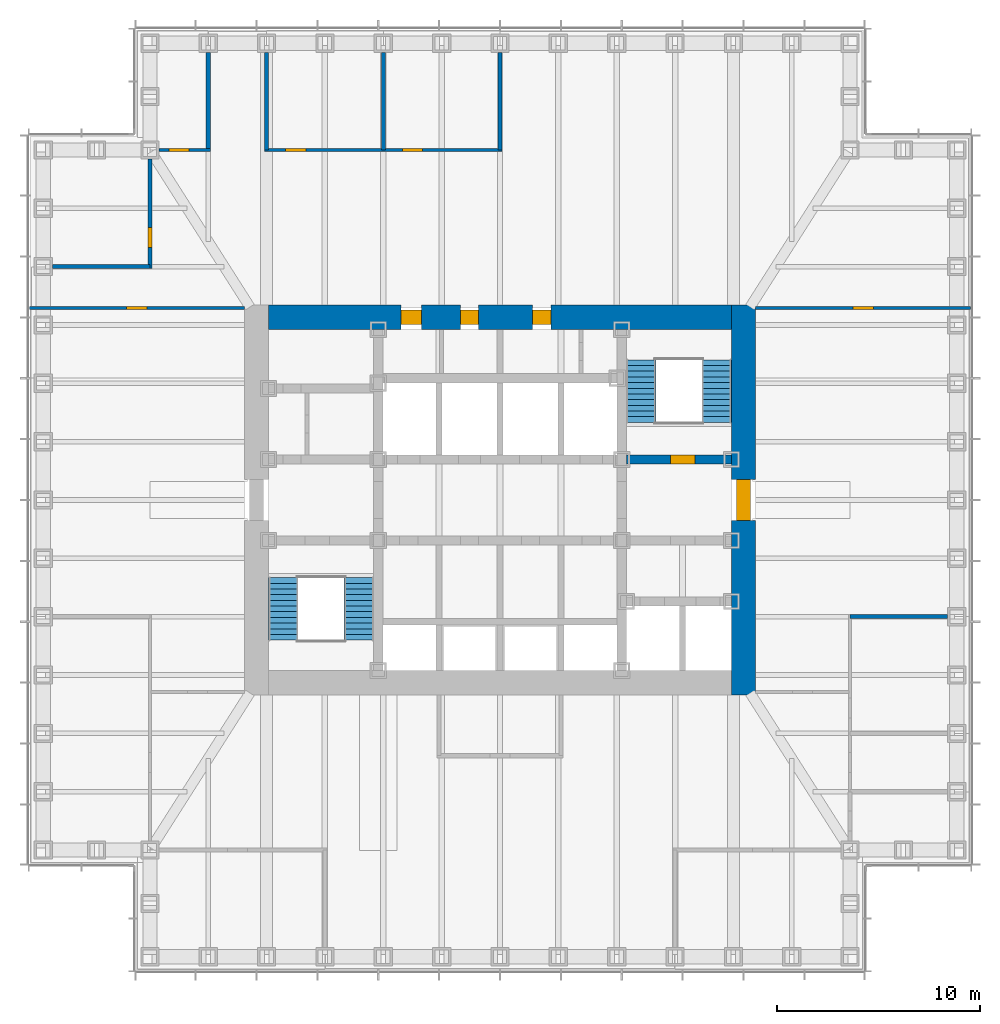
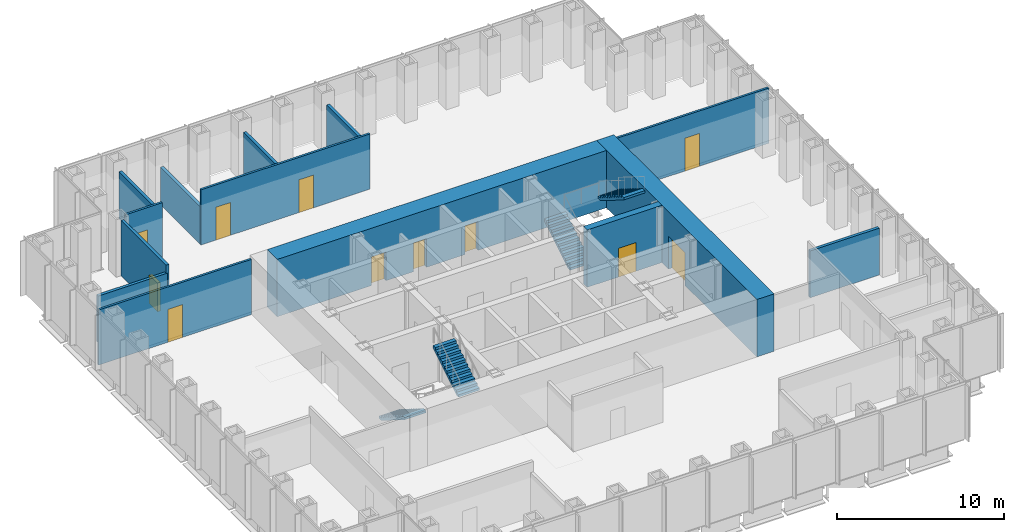
# One storey, part 10 of 16: 14 walls, 11 doors, 4 stair flights, 11 openings, 2 elements without a shape of their own.
"""IFC4 building model written with IfcOpenShell, lengths in metres."""

from ifc_helpers import new_model, si_unit, direction, frame, frame_2d, origin, place, context, subcontext, project, spatial, polyline, rectangle, outline, extrude, material, layer, layer_set, type_object, element, fill, aggregate, save


model = new_model("IFC4")

# Units and contexts
model_context = context("Model", 3, precision=1e-05, world=origin(), true_north=direction((0.0, 1.0)))
body_context = subcontext(model_context, "Body", "Model", "MODEL_VIEW")
ifc_project = project(units=[si_unit("LENGTHUNIT", "METRE"), si_unit("AREAUNIT", "SQUARE_METRE"), si_unit("VOLUMEUNIT", "CUBIC_METRE"), si_unit("PLANEANGLEUNIT", "RADIAN"), si_unit("MASSUNIT", "GRAM", prefix="KILO")], contexts=[model_context])

# Site, building, storey
site_placement = place(None, origin())
site = spatial("IfcSite", under=ifc_project, at=site_placement, CompositionType="ELEMENT")
building_placement = place(site_placement, origin())
building = spatial("IfcBuilding", under=site, at=building_placement, Name="Daluyong Arena Tower", CompositionType="ELEMENT")
storey_placement = place(building_placement, frame((0.0, 0.0, 141.699951171875)))
storey = spatial("IfcBuildingStorey", under=building, at=storey_placement, Name="L31", CompositionType="ELEMENT", Elevation=141.699951171875)

# Wall, opening, door
ifc_material_1 = material(Name="Concrete fc' 45 MPa", Category="concrete")
ifc_layer_1 = layer(ifc_material_1, 0.449951171875)
ifc_layer_set_1 = layer_set([ifc_layer_1], Name="Concrete fc' 45 MPa")
wall_type_1 = type_object("IfcWallType", Name="Core inner wall 450", PredefinedType="SHEAR", material=ifc_layer_set_1)
wall_1_placement = place(storey_placement, frame((62.22509765625, 82.0, 0.0), z_axis=(0.0, 0.0, 1.0), x_axis=(1.0, 0.0, 0.0)))
wall_1 = element("IfcWall", 1, at=wall_1_placement, inside=storey, type_object=wall_type_1, Name="core inner wall at L31", PredefinedType="SHEAR", context=body_context, shape_type="SweptSolid", body=[
    extrude(rectangle(XDim=5.1748046875, YDim=0.449951171875, at=frame_2d((2.58740234375, 0.0))), origin(), (0.0, 0.0, 1.0), 4.199951171875),
])
opening_1_placement = place(wall_1_placement, frame((2.175048828125, 0.0, 0.0)))
opening_1 = element("IfcOpeningElement", 2, at=opening_1_placement, cuts=wall_1, Name="Opening 31013", PredefinedType="OPENING", context=body_context, shape_type="SweptSolid", body=[
    extrude(rectangle(XDim=1.199951171875, YDim=2.10009765625, at=frame_2d((0.60009765625, 1.050048828125))), frame((0.0, 0.23486328125, 0.0), z_axis=(0.0, -1.0, 0.0), x_axis=(1.0, 0.0, 0.0)), (0.0, 0.0, 1.0), 0.469970703125),
])
ifc_material_2 = material(Name="Steel door, fire rated", Category="steel")
door_type_1 = type_object("IfcDoorType", Name="Stair door 1200", OperationType="SINGLE_SWING_LEFT", PredefinedType="DOOR", material=ifc_material_2)
door_1_placement = place(opening_1_placement, origin())
door_1 = element("IfcDoor", 3, at=door_1_placement, inside=storey, type_object=door_type_1, Name="stair B door 31013", OperationType="SINGLE_SWING_LEFT", OverallHeight=2.10009765625, OverallWidth=1.199951171875, PredefinedType="DOOR", context=body_context, shape_type="SweptSolid", body=[
    extrude(rectangle(XDim=1.199951171875, YDim=2.10009765625, at=frame_2d((0.60009765625, 1.050048828125))), frame((0.0, 0.224609375, 0.0), z_axis=(0.0, -1.0, 0.0), x_axis=(1.0, 0.0, 0.0)), (0.0, 0.0, 1.0), 0.449462890625),
])
fill(opening_1, door_1)

ifc_material_3 = material(Name="Concrete fc' 60 MPa", Category="concrete")
ifc_layer_2 = layer(ifc_material_3, 1.199951171875)
ifc_layer_set_2 = layer_set([ifc_layer_2], Name="Concrete fc' 60 MPa")
wall_type_2 = type_object("IfcWallType", Name="Core wall 1200", PredefinedType="SHEAR", material=ifc_layer_set_2)
wall_2_placement = place(storey_placement, frame((68.0, 70.39990234375, 0.0), z_axis=(0.0, 0.0, 1.0), x_axis=(0.0, 1.0, 0.0)))
wall_2 = element("IfcWall", 4, at=wall_2_placement, inside=storey, type_object=wall_type_2, Name="core wall at L31", PredefinedType="SHEAR", context=body_context, shape_type="SweptSolid", body=[
    extrude(rectangle(XDim=19.2001953125, YDim=1.199951171875, at=frame_2d((9.60009765625, 0.0))), origin(), (0.0, 0.0, 1.0), 4.199951171875),
])
opening_2_placement = place(wall_2_placement, frame((8.60009765625, 0.0, 0.0)))
opening_2 = element("IfcOpeningElement", 5, at=opening_2_placement, cuts=wall_2, Name="Opening 31015", PredefinedType="OPENING", context=body_context, shape_type="SweptSolid", body=[
    extrude(rectangle(XDim=2.0, YDim=2.39990234375, at=frame_2d((1.0, 1.199951171875))), frame((0.0, 0.60986328125, 0.0), z_axis=(0.0, -1.0, 0.0), x_axis=(1.0, 0.0, 0.0)), (0.0, 0.0, 1.0), 1.219970703125),
])
ifc_material_4 = material(Name="Steel door, fire rated", Category="steel")
door_type_2 = type_object("IfcDoorType", Name="Core lobby double door 2000", OperationType="DOUBLE_DOOR_SINGLE_SWING", PredefinedType="DOOR", material=ifc_material_4)
door_2_placement = place(opening_2_placement, origin())
door_2 = element("IfcDoor", 6, at=door_2_placement, inside=storey, type_object=door_type_2, Name="core lobby door east 31015", OperationType="DOUBLE_DOOR_SINGLE_SWING", OverallHeight=2.39990234375, OverallWidth=2.0, PredefinedType="DOOR", context=body_context, shape_type="SweptSolid", body=[
    extrude(rectangle(XDim=2.0, YDim=2.39990234375, at=frame_2d((1.0, 1.199951171875))), frame((0.0, 0.35009765625, 0.0), z_axis=(0.0, -1.0, 0.0), x_axis=(1.0, 0.0, 0.0)), (0.0, 0.0, 1.0), 0.699951171875),
])
fill(opening_2, door_2)

# Wall, openings, doors
wall_3_placement = place(storey_placement, frame((44.60009765625, 89.0, 0.0), z_axis=(0.0, 0.0, 1.0), x_axis=(1.0, 0.0, 0.0)))
wall_3 = element("IfcWall", 7, at=wall_3_placement, inside=storey, type_object=wall_type_2, Name="core wall at L31", PredefinedType="SHEAR", context=body_context, shape_type="SweptSolid", body=[
    extrude(rectangle(XDim=22.7998046875, YDim=1.199951171875, at=frame_2d((11.39990234375, 0.0))), origin(), (0.0, 0.0, 1.0), 4.199951171875),
])
opening_3_placement = place(wall_3_placement, frame((6.52490234375, 0.0, 0.0)))
opening_3 = element("IfcOpeningElement", 8, at=opening_3_placement, cuts=wall_3, Name="Opening 31004", PredefinedType="OPENING", context=body_context, shape_type="SweptSolid", body=[
    extrude(rectangle(XDim=1.0, YDim=2.10009765625, at=frame_2d((0.5, 1.050048828125))), frame((0.0, 0.60986328125, 0.0), z_axis=(0.0, -1.0, 0.0), x_axis=(1.0, 0.0, 0.0)), (0.0, 0.0, 1.0), 1.219970703125),
])
opening_4_placement = place(wall_3_placement, frame((9.449951171875, 0.0, 0.0)))
opening_4 = element("IfcOpeningElement", 9, at=opening_4_placement, cuts=wall_3, Name="Opening 31005", PredefinedType="OPENING", context=body_context, shape_type="SweptSolid", body=[
    extrude(rectangle(XDim=0.89990234375, YDim=2.10009765625, at=frame_2d((0.449951171875, 1.050048828125))), frame((0.0, 0.60986328125, 0.0), z_axis=(0.0, -1.0, 0.0), x_axis=(1.0, 0.0, 0.0)), (0.0, 0.0, 1.0), 1.219970703125),
])
opening_5_placement = place(wall_3_placement, frame((13.012451171875, 0.0, 0.0)))
opening_5 = element("IfcOpeningElement", 10, at=opening_5_placement, cuts=wall_3, Name="Opening 31006", PredefinedType="OPENING", context=body_context, shape_type="SweptSolid", body=[
    extrude(rectangle(XDim=0.89990234375, YDim=2.10009765625, at=frame_2d((0.449951171875, 1.050048828125))), frame((0.0, 0.60986328125, 0.0), z_axis=(0.0, -1.0, 0.0), x_axis=(1.0, 0.0, 0.0)), (0.0, 0.0, 1.0), 1.219970703125),
])
ifc_material_5 = material(Name="Timber door", Category="wood")
door_type_3 = type_object("IfcDoorType", Name="Accessible toilet door 1000", OperationType="SINGLE_SWING_LEFT", PredefinedType="DOOR", material=ifc_material_5)
door_3_placement = place(opening_3_placement, origin())
door_3 = element("IfcDoor", 11, at=door_3_placement, inside=storey, type_object=door_type_3, Name="accessible toilet door 31004", OperationType="SINGLE_SWING_LEFT", OverallHeight=2.10009765625, OverallWidth=1.0, PredefinedType="DOOR", context=body_context, shape_type="SweptSolid", body=[
    extrude(rectangle(XDim=1.0, YDim=2.10009765625, at=frame_2d((0.5, 1.050048828125))), frame((0.0, 0.35009765625, 0.0), z_axis=(0.0, -1.0, 0.0), x_axis=(1.0, 0.0, 0.0)), (0.0, 0.0, 1.0), 0.699951171875),
])
fill(opening_3, door_3)
ifc_material_6 = material(Name="Steel door, fire rated", Category="steel")
door_type_4 = type_object("IfcDoorType", Name="Core room door 900", OperationType="SINGLE_SWING_LEFT", PredefinedType="DOOR", material=ifc_material_6)
door_4_placement = place(opening_5_placement, origin())
door_4 = element("IfcDoor", 12, at=door_4_placement, inside=storey, type_object=door_type_4, Name="parcel room door 31006", OperationType="SINGLE_SWING_LEFT", OverallHeight=2.10009765625, OverallWidth=0.89990234375, PredefinedType="DOOR", context=body_context, shape_type="SweptSolid", body=[
    extrude(rectangle(XDim=0.89990234375, YDim=2.10009765625, at=frame_2d((0.449951171875, 1.050048828125))), frame((0.0, 0.35009765625, 0.0), z_axis=(0.0, -1.0, 0.0), x_axis=(1.0, 0.0, 0.0)), (0.0, 0.0, 1.0), 0.699951171875),
])
fill(opening_5, door_4)
ifc_material_7 = material(Name="Steel door, fire rated", Category="steel")
door_type_5 = type_object("IfcDoorType", Name="Core store door 900", OperationType="SINGLE_SWING_LEFT", PredefinedType="DOOR", material=ifc_material_7)
door_5_placement = place(opening_4_placement, origin())
door_5 = element("IfcDoor", 13, at=door_5_placement, inside=storey, type_object=door_type_5, Name="facilities store door 31005", OperationType="SINGLE_SWING_LEFT", OverallHeight=2.10009765625, OverallWidth=0.89990234375, PredefinedType="DOOR", context=body_context, shape_type="SweptSolid", body=[
    extrude(rectangle(XDim=0.89990234375, YDim=2.10009765625, at=frame_2d((0.449951171875, 1.050048828125))), frame((0.0, 0.35009765625, 0.0), z_axis=(0.0, -1.0, 0.0), x_axis=(1.0, 0.0, 0.0)), (0.0, 0.0, 1.0), 0.699951171875),
])
fill(opening_4, door_5)

# Wall, opening, door
ifc_material_8 = material(Name="Glazed aluminium partition", Category="aluminium")
ifc_layer_3 = layer(ifc_material_8, 0.14990234375)
ifc_layer_set_3 = layer_set([ifc_layer_3], Name="Glazed aluminium partition")
wall_type_3 = type_object("IfcWallType", Name="Glazed partition 150", PredefinedType="PARTITIONING", material=ifc_layer_set_3)
wall_4_placement = place(storey_placement, frame((32.81005859375, 89.449951171875, 0.0), z_axis=(0.0, 0.0, 1.0), x_axis=(1.0, 0.0, 0.0)))
wall_4 = element("IfcWall", 14, at=wall_4_placement, inside=storey, type_object=wall_type_3, Name="glazed partition at L31", PredefinedType="PARTITIONING", context=body_context, shape_type="SweptSolid", body=[
    extrude(rectangle(XDim=10.58984375, YDim=0.14990234375, at=frame_2d((5.294921875, 0.0))), origin(), (0.0, 0.0, 1.0), 4.0400390625),
])
opening_6_placement = place(wall_4_placement, frame((4.794921875, 0.0, 0.0)))
opening_6 = element("IfcOpeningElement", 15, at=opening_6_placement, cuts=wall_4, Name="Opening 31037", PredefinedType="OPENING", context=body_context, shape_type="SweptSolid", body=[
    extrude(rectangle(XDim=1.0, YDim=2.39990234375, at=frame_2d((0.5, 1.199951171875))), frame((0.0, 0.0849609375, 0.0), z_axis=(0.0, -1.0, 0.0), x_axis=(1.0, 0.0, 0.0)), (0.0, 0.0, 1.0), 0.169921875),
])
ifc_material_9 = material(Name="Glazed aluminium door", Category="aluminium")
door_type_6 = type_object("IfcDoorType", Name="Meeting room glazed door 1000", OperationType="SINGLE_SWING_RIGHT", PredefinedType="DOOR", material=ifc_material_9)
door_6_placement = place(opening_6_placement, origin())
door_6 = element("IfcDoor", 16, at=door_6_placement, inside=storey, type_object=door_type_6, Name="team area screen door 31037", OperationType="SINGLE_SWING_RIGHT", OverallHeight=2.39990234375, OverallWidth=1.0, PredefinedType="DOOR", context=body_context, shape_type="SweptSolid", body=[
    extrude(rectangle(XDim=1.0, YDim=2.39990234375, at=frame_2d((0.5, 1.199951171875))), frame((0.0, 0.07470703125, 0.0), z_axis=(0.0, -1.0, 0.0), x_axis=(1.0, 0.0, 0.0)), (0.0, 0.0, 1.0), 0.1494140625),
])
fill(opening_6, door_6)

wall_5_placement = place(storey_placement, frame((68.60009765625, 89.449951171875, 0.0), z_axis=(0.0, 0.0, 1.0), x_axis=(1.0, 0.0, 0.0)))
wall_5 = element("IfcWall", 17, at=wall_5_placement, inside=storey, type_object=wall_type_3, Name="glazed partition at L31", PredefinedType="PARTITIONING", context=body_context, shape_type="SweptSolid", body=[
    extrude(rectangle(XDim=10.58984375, YDim=0.14990234375, at=frame_2d((5.294921875, 0.0))), origin(), (0.0, 0.0, 1.0), 4.0400390625),
])
opening_7_placement = place(wall_5_placement, frame((4.794921875, 0.0, 0.0)))
opening_7 = element("IfcOpeningElement", 18, at=opening_7_placement, cuts=wall_5, Name="Opening 31039", PredefinedType="OPENING", context=body_context, shape_type="SweptSolid", body=[
    extrude(rectangle(XDim=1.0, YDim=2.39990234375, at=frame_2d((0.5, 1.199951171875))), frame((0.0, 0.0849609375, 0.0), z_axis=(0.0, -1.0, 0.0), x_axis=(1.0, 0.0, 0.0)), (0.0, 0.0, 1.0), 0.169921875),
])
door_7_placement = place(opening_7_placement, origin())
door_7 = element("IfcDoor", 19, at=door_7_placement, inside=storey, type_object=door_type_6, Name="team area screen door 31039", OperationType="SINGLE_SWING_RIGHT", OverallHeight=2.39990234375, OverallWidth=1.0, PredefinedType="DOOR", context=body_context, shape_type="SweptSolid", body=[
    extrude(rectangle(XDim=1.0, YDim=2.39990234375, at=frame_2d((0.5, 1.199951171875))), frame((0.0, 0.07470703125, 0.0), z_axis=(0.0, -1.0, 0.0), x_axis=(1.0, 0.0, 0.0)), (0.0, 0.0, 1.0), 0.1494140625),
])
fill(opening_7, door_7)

wall_6_placement = place(storey_placement, frame((39.199951171875, 97.25, 0.0), z_axis=(0.0, 0.0, 1.0), x_axis=(1.0, 0.0, 0.0)))
wall_6 = element("IfcWall", 20, at=wall_6_placement, inside=storey, type_object=wall_type_3, Name="glazed partition at L31", PredefinedType="PARTITIONING", context=body_context, shape_type="SweptSolid", body=[
    extrude(rectangle(XDim=2.525146484375, YDim=0.14990234375, at=frame_2d((1.2626953125, 0.0))), origin(), (0.0, 0.0, 1.0), 4.0400390625),
])
opening_8_placement = place(wall_6_placement, frame((0.487548828125, 0.0, 0.0)))
opening_8 = element("IfcOpeningElement", 21, at=opening_8_placement, cuts=wall_6, Name="Opening 31030", PredefinedType="OPENING", context=body_context, shape_type="SweptSolid", body=[
    extrude(rectangle(XDim=1.0, YDim=2.39990234375, at=frame_2d((0.5, 1.199951171875))), frame((0.0, 0.0849609375, 0.0), z_axis=(0.0, -1.0, 0.0), x_axis=(1.0, 0.0, 0.0)), (0.0, 0.0, 1.0), 0.169921875),
])
door_8_placement = place(opening_8_placement, origin())
door_8 = element("IfcDoor", 22, at=door_8_placement, inside=storey, type_object=door_type_6, Name="meeting room door 31030", OperationType="SINGLE_SWING_RIGHT", OverallHeight=2.39990234375, OverallWidth=1.0, PredefinedType="DOOR", context=body_context, shape_type="SweptSolid", body=[
    extrude(rectangle(XDim=1.0, YDim=2.39990234375, at=frame_2d((0.5, 1.199951171875))), frame((0.0, 0.07470703125, 0.0), z_axis=(0.0, -1.0, 0.0), x_axis=(1.0, 0.0, 0.0)), (0.0, 0.0, 1.0), 0.1494140625),
])
fill(opening_8, door_8)

# Wall, openings, doors
wall_7_placement = place(storey_placement, frame((44.39990234375, 97.25, 0.0), z_axis=(0.0, 0.0, 1.0), x_axis=(1.0, 0.0, 0.0)))
wall_7 = element("IfcWall", 23, at=wall_7_placement, inside=storey, type_object=wall_type_3, Name="glazed partition at L31", PredefinedType="PARTITIONING", context=body_context, shape_type="SweptSolid", body=[
    extrude(rectangle(XDim=11.7001953125, YDim=0.14990234375, at=frame_2d((5.85009765625, 0.0))), origin(), (0.0, 0.0, 1.0), 4.0400390625),
])
opening_9_placement = place(wall_7_placement, frame((1.03759765625, 0.0, 0.0)))
opening_9 = element("IfcOpeningElement", 24, at=opening_9_placement, cuts=wall_7, Name="Opening 31031", PredefinedType="OPENING", context=body_context, shape_type="SweptSolid", body=[
    extrude(rectangle(XDim=1.0, YDim=2.39990234375, at=frame_2d((0.5, 1.199951171875))), frame((0.0, 0.0849609375, 0.0), z_axis=(0.0, -1.0, 0.0), x_axis=(1.0, 0.0, 0.0)), (0.0, 0.0, 1.0), 0.169921875),
])
opening_10_placement = place(wall_7_placement, frame((6.78759765625, 0.0, 0.0)))
opening_10 = element("IfcOpeningElement", 25, at=opening_10_placement, cuts=wall_7, Name="Opening 31032", PredefinedType="OPENING", context=body_context, shape_type="SweptSolid", body=[
    extrude(rectangle(XDim=1.0, YDim=2.39990234375, at=frame_2d((0.5, 1.199951171875))), frame((0.0, 0.0849609375, 0.0), z_axis=(0.0, -1.0, 0.0), x_axis=(1.0, 0.0, 0.0)), (0.0, 0.0, 1.0), 0.169921875),
])
door_9_placement = place(opening_9_placement, origin())
door_9 = element("IfcDoor", 26, at=door_9_placement, inside=storey, type_object=door_type_6, Name="meeting room door 31031", OperationType="SINGLE_SWING_RIGHT", OverallHeight=2.39990234375, OverallWidth=1.0, PredefinedType="DOOR", context=body_context, shape_type="SweptSolid", body=[
    extrude(rectangle(XDim=1.0, YDim=2.39990234375, at=frame_2d((0.5, 1.199951171875))), frame((0.0, 0.07470703125, 0.0), z_axis=(0.0, -1.0, 0.0), x_axis=(1.0, 0.0, 0.0)), (0.0, 0.0, 1.0), 0.1494140625),
])
fill(opening_9, door_9)
door_10_placement = place(opening_10_placement, origin())
door_10 = element("IfcDoor", 27, at=door_10_placement, inside=storey, type_object=door_type_6, Name="meeting room door 31032", OperationType="SINGLE_SWING_RIGHT", OverallHeight=2.39990234375, OverallWidth=1.0, PredefinedType="DOOR", context=body_context, shape_type="SweptSolid", body=[
    extrude(rectangle(XDim=1.0, YDim=2.39990234375, at=frame_2d((0.5, 1.199951171875))), frame((0.0, 0.07470703125, 0.0), z_axis=(0.0, -1.0, 0.0), x_axis=(1.0, 0.0, 0.0)), (0.0, 0.0, 1.0), 0.1494140625),
])
fill(opening_10, door_10)

# Walls
ifc_material_10 = material(Name="Concrete block partition", Category="concrete")
ifc_layer_4 = layer(ifc_material_10, 0.199951171875)
ifc_layer_set_4 = layer_set([ifc_layer_4], Name="Concrete block partition")
wall_type_4 = type_object("IfcWallType", Name="Partition 200", PredefinedType="PARTITIONING", material=ifc_layer_set_4)
for number, where, z_axis, x_axis, name in (
    (28, (73.25, 74.25, 0.0), (0.0, 0.0, 1.0), (1.0, 0.0, 0.0), "partition at L31"),
    (29, (41.625, 97.25, 0.0), (0.0, 0.0, 1.0), (0.0, 1.0, 0.0), "partition at L31"),
):
    element("IfcWall", number, at=place(storey_placement, frame(where, z_axis=z_axis, x_axis=x_axis)), inside=storey, type_object=wall_type_4, Name=name, PredefinedType="PARTITIONING", context=body_context, shape_type="SweptSolid", body=[
        extrude(rectangle(XDim=4.800048828125, YDim=0.199951171875, at=frame_2d((2.39990234375, 0.0))), origin(), (0.0, 0.0, 1.0), 3.427978515625),
    ])
wall_8_placement = place(storey_placement, frame((44.5, 97.25, 0.0), z_axis=(0.0, 0.0, 1.0), x_axis=(0.0, 1.0, 0.0)))
element("IfcWall", 30, at=wall_8_placement, inside=storey, type_object=wall_type_4, Name="partition at L31", PredefinedType="PARTITIONING", context=body_context, shape_type="SweptSolid", body=[
    extrude(rectangle(XDim=4.800048828125, YDim=0.199951171875, at=frame_2d((2.39990234375, 0.0))), origin(), (0.0, 0.0, 1.0), 2.739990234375),
])
for number, where, z_axis, x_axis, name in (
    (31, (50.25, 97.25, 0.0), (0.0, 0.0, 1.0), (0.0, 1.0, 0.0), "partition at L31"),
    (32, (56.0, 97.25, 0.0), (0.0, 0.0, 1.0), (0.0, 1.0, 0.0), "partition at L31"),
):
    element("IfcWall", number, at=place(storey_placement, frame(where, z_axis=z_axis, x_axis=x_axis)), inside=storey, type_object=wall_type_4, Name=name, PredefinedType="PARTITIONING", context=body_context, shape_type="SweptSolid", body=[
        extrude(rectangle(XDim=4.800048828125, YDim=0.199951171875, at=frame_2d((2.39990234375, 0.0))), origin(), (0.0, 0.0, 1.0), 3.278076171875),
    ])
wall_9_placement = place(storey_placement, frame((33.949951171875, 91.5, 0.0), z_axis=(0.0, 0.0, 1.0), x_axis=(1.0, 0.0, 0.0)))
element("IfcWall", 33, at=wall_9_placement, inside=storey, type_object=wall_type_4, Name="partition at L31", PredefinedType="PARTITIONING", context=body_context, shape_type="SweptSolid", body=[
    extrude(rectangle(XDim=4.800048828125, YDim=0.199951171875, at=frame_2d((2.39990234375, 0.0))), origin(), (0.0, 0.0, 1.0), 3.427978515625),
])

# Wall, opening, door
wall_10_placement = place(storey_placement, frame((38.75, 91.39990234375, 0.0), z_axis=(0.0, 0.0, 1.0), x_axis=(0.0, 1.0, 0.0)))
wall_10 = element("IfcWall", 34, at=wall_10_placement, inside=storey, type_object=wall_type_4, Name="partition at L31", PredefinedType="PARTITIONING", context=body_context, shape_type="SweptSolid", body=[
    extrude(rectangle(XDim=5.400146484375, YDim=0.199951171875, at=frame_2d((2.7001953125, 0.0))), origin(), (0.0, 0.0, 1.0), 4.0400390625),
])
opening_11_placement = place(wall_10_placement, frame((1.03759765625, 0.0, 0.0)))
opening_11 = element("IfcOpeningElement", 35, at=opening_11_placement, cuts=wall_10, Name="Opening 31034", PredefinedType="OPENING", context=body_context, shape_type="SweptSolid", body=[
    extrude(rectangle(XDim=1.0, YDim=2.10009765625, at=frame_2d((0.5, 1.050048828125))), frame((0.0, 0.10986328125, 0.0), z_axis=(0.0, -1.0, 0.0), x_axis=(1.0, 0.0, 0.0)), (0.0, 0.0, 1.0), 0.219970703125),
])
ifc_material_11 = material(Name="Timber door", Category="wood")
door_type_7 = type_object("IfcDoorType", Name="Room door 1000", OperationType="SINGLE_SWING_LEFT", PredefinedType="DOOR", material=ifc_material_11)
door_11_placement = place(opening_11_placement, origin())
door_11 = element("IfcDoor", 36, at=door_11_placement, inside=storey, type_object=door_type_7, Name="pantry door 31034", OperationType="SINGLE_SWING_LEFT", OverallHeight=2.10009765625, OverallWidth=1.0, PredefinedType="DOOR", context=body_context, shape_type="SweptSolid", body=[
    extrude(rectangle(XDim=1.0, YDim=2.10009765625, at=frame_2d((0.5, 1.050048828125))), frame((0.0, 0.099609375, 0.0), z_axis=(0.0, -1.0, 0.0), x_axis=(1.0, 0.0, 0.0)), (0.0, 0.0, 1.0), 0.199462890625),
])
fill(opening_11, door_11)

# Stair, stair flights
ifc_material_12 = material(Name="Concrete fc' 35 MPa", Category="concrete")
stair_type = type_object("IfcStairType", Name="Core exit stair", PredefinedType="HALF_TURN_STAIR", material=ifc_material_12)
stair_1_placement = place(storey_placement, origin())
stair_1 = element("IfcStair", 37, at=stair_1_placement, inside=storey, type_object=stair_type, Name="exit stair A L31", PredefinedType="HALF_TURN_STAIR")
ifc_material_13 = material(Name="Concrete fc' 35 MPa", Category="concrete")
stair_flight_type = type_object("IfcStairFlightType", Name="Core stair flight", PredefinedType="STRAIGHT", material=ifc_material_13)
stair_flight_1_placement = place(storey_placement, frame((45.324951171875, 76.175048828125, 0.0), z_axis=(0.0, 0.0, 1.0), x_axis=(0.0, -1.0, 0.0)))
stair_flight_1 = element("IfcStairFlight", 38, at=stair_flight_1_placement, type_object=stair_flight_type, Name="STA flight 1", NumberOfRisers=12, NumberOfTreads=11, PredefinedType="STRAIGHT", RiserHeight=0.175, TreadLength=0.28, context=body_context, shape_type="SweptSolid", body=[
    extrude(outline(polyline([(0.0, 0.0), (0.0, 0.175048828125), (0.280029296875, 0.175048828125), (0.280029296875, 0.35009765625), (0.56005859375, 0.35009765625), (0.56005859375, 0.52490234375), (0.840087890625, 0.52490234375), (0.840087890625, 0.699951171875), (1.1201171875, 0.699951171875), (1.1201171875, 0.875), (1.39990234375, 0.875), (1.39990234375, 1.050048828125), (1.679931640625, 1.050048828125), (1.679931640625, 1.22509765625), (1.9599609375, 1.22509765625), (1.9599609375, 1.39990234375), (2.239990234375, 1.39990234375), (2.239990234375, 1.574951171875), (2.52001953125, 1.574951171875), (2.52001953125, 1.75), (2.800048828125, 1.75), (2.800048828125, 1.925048828125), (3.080078125, 1.925048828125), (3.080078125, 2.10009765625), (3.080078125, 1.748291015625), (0.28271484375, 0.0), (0.0, 0.0)])), frame((0.0, 0.72509765625, 0.0), z_axis=(0.0, -1.0, 0.0), x_axis=(1.0, 0.0, 0.0)), (0.0, 0.0, 1.0), 1.449951171875),
])
stair_flight_2_placement = place(storey_placement, frame((49.050048828125, 73.094970703125, 2.10009765625), z_axis=(0.0, 0.0, 1.0), x_axis=(0.0, 1.0, 0.0)))
stair_flight_2 = element("IfcStairFlight", 39, at=stair_flight_2_placement, type_object=stair_flight_type, Name="STA flight 2", NumberOfRisers=12, NumberOfTreads=11, PredefinedType="STRAIGHT", RiserHeight=0.175, TreadLength=0.28, context=body_context, shape_type="SweptSolid", body=[
    extrude(outline(polyline([(0.0, 0.0), (0.0, 0.175048828125), (0.280029296875, 0.175048828125), (0.280029296875, 0.35009765625), (0.56005859375, 0.35009765625), (0.56005859375, 0.52490234375), (0.840087890625, 0.52490234375), (0.840087890625, 0.699951171875), (1.1201171875, 0.699951171875), (1.1201171875, 0.875), (1.39990234375, 0.875), (1.39990234375, 1.050048828125), (1.679931640625, 1.050048828125), (1.679931640625, 1.22509765625), (1.9599609375, 1.22509765625), (1.9599609375, 1.39990234375), (2.239990234375, 1.39990234375), (2.239990234375, 1.574951171875), (2.52001953125, 1.574951171875), (2.52001953125, 1.75), (2.800048828125, 1.75), (2.800048828125, 1.925048828125), (3.080078125, 1.925048828125), (3.080078125, 2.10009765625), (3.080078125, 1.748291015625), (0.28271484375, 0.0), (0.0, 0.0)])), frame((0.0, 0.72509765625, 0.0), z_axis=(0.0, -1.0, 0.0), x_axis=(1.0, 0.0, 0.0)), (0.0, 0.0, 1.0), 1.449951171875),
])
aggregate(stair_1, [stair_flight_1, stair_flight_2])

stair_2_placement = place(storey_placement, origin())
stair_2 = element("IfcStair", 40, at=stair_2_placement, inside=storey, type_object=stair_type, Name="exit stair B L31", PredefinedType="HALF_TURN_STAIR")
stair_flight_3_placement = place(storey_placement, frame((62.949951171875, 83.824951171875, 0.0), z_axis=(0.0, 0.0, 1.0), x_axis=(0.0, 1.0, 0.0)))
stair_flight_3 = element("IfcStairFlight", 41, at=stair_flight_3_placement, type_object=stair_flight_type, Name="STB flight 1", NumberOfRisers=12, NumberOfTreads=11, PredefinedType="STRAIGHT", RiserHeight=0.175, TreadLength=0.28, context=body_context, shape_type="SweptSolid", body=[
    extrude(outline(polyline([(0.0, 0.0), (0.0, 0.175048828125), (0.280029296875, 0.175048828125), (0.280029296875, 0.35009765625), (0.56005859375, 0.35009765625), (0.56005859375, 0.52490234375), (0.840087890625, 0.52490234375), (0.840087890625, 0.699951171875), (1.1201171875, 0.699951171875), (1.1201171875, 0.875), (1.39990234375, 0.875), (1.39990234375, 1.050048828125), (1.679931640625, 1.050048828125), (1.679931640625, 1.22509765625), (1.9599609375, 1.22509765625), (1.9599609375, 1.39990234375), (2.239990234375, 1.39990234375), (2.239990234375, 1.574951171875), (2.52001953125, 1.574951171875), (2.52001953125, 1.75), (2.800048828125, 1.75), (2.800048828125, 1.925048828125), (3.080078125, 1.925048828125), (3.080078125, 2.10009765625), (3.080078125, 1.748291015625), (0.28271484375, 0.0), (0.0, 0.0)])), frame((0.0, 0.72509765625, 0.0), z_axis=(0.0, -1.0, 0.0), x_axis=(1.0, 0.0, 0.0)), (0.0, 0.0, 1.0), 1.449951171875),
])
stair_flight_4_placement = place(storey_placement, frame((66.675048828125, 86.905029296875, 2.10009765625), z_axis=(0.0, 0.0, 1.0), x_axis=(0.0, -1.0, 0.0)))
stair_flight_4 = element("IfcStairFlight", 42, at=stair_flight_4_placement, type_object=stair_flight_type, Name="STB flight 2", NumberOfRisers=12, NumberOfTreads=11, PredefinedType="STRAIGHT", RiserHeight=0.175, TreadLength=0.28, context=body_context, shape_type="SweptSolid", body=[
    extrude(outline(polyline([(0.0, 0.0), (0.0, 0.175048828125), (0.280029296875, 0.175048828125), (0.280029296875, 0.35009765625), (0.56005859375, 0.35009765625), (0.56005859375, 0.52490234375), (0.840087890625, 0.52490234375), (0.840087890625, 0.699951171875), (1.1201171875, 0.699951171875), (1.1201171875, 0.875), (1.39990234375, 0.875), (1.39990234375, 1.050048828125), (1.679931640625, 1.050048828125), (1.679931640625, 1.22509765625), (1.9599609375, 1.22509765625), (1.9599609375, 1.39990234375), (2.239990234375, 1.39990234375), (2.239990234375, 1.574951171875), (2.52001953125, 1.574951171875), (2.52001953125, 1.75), (2.800048828125, 1.75), (2.800048828125, 1.925048828125), (3.080078125, 1.925048828125), (3.080078125, 2.10009765625), (3.080078125, 1.748291015625), (0.28271484375, 0.0), (0.0, 0.0)])), frame((0.0, 0.72509765625, 0.0), z_axis=(0.0, -1.0, 0.0), x_axis=(1.0, 0.0, 0.0)), (0.0, 0.0, 1.0), 1.449951171875),
])
aggregate(stair_2, [stair_flight_3, stair_flight_4])

save(model, "model.ifc")
